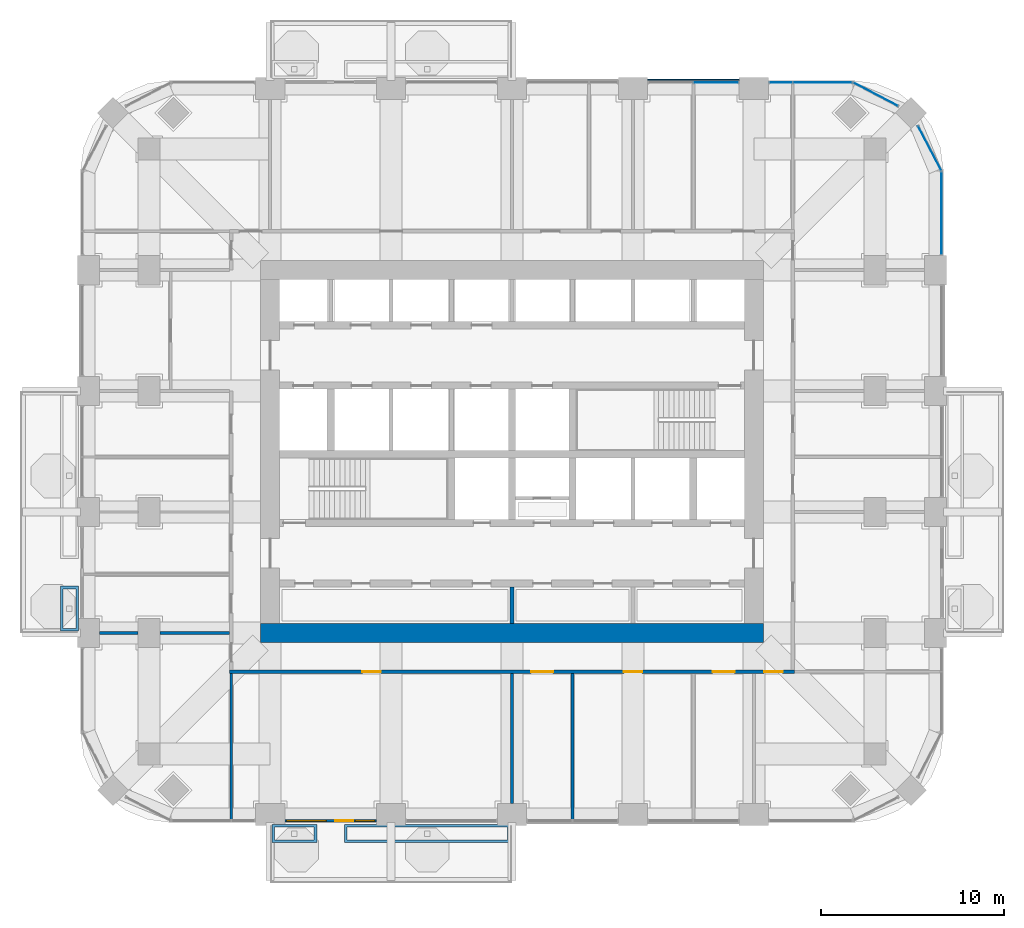
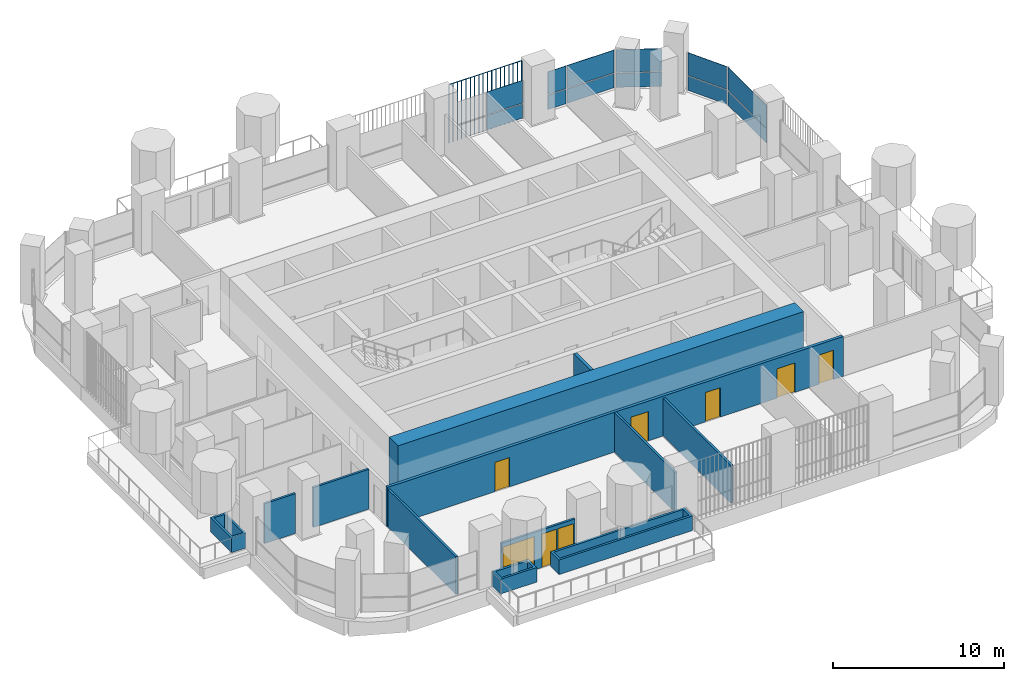
# One storey, part 11 of 20: 13 plates, 12 walls, 6 doors, 2 windows, 8 openings, 5 elements without a shape of their own.
"""IFC4 building model written with IfcOpenShell, lengths in metres."""

from ifc_helpers import new_model, si_unit, direction, frame, frame_2d, origin, origin_2d, place, context, subcontext, project, spatial, polyline, rectangle, outline, extrude, material, layer, layer_set, type_object, element, fill, aggregate, save


model = new_model("IFC4")

# Units and contexts
model_context = context("Model", 3, precision=1e-05, world=origin(), true_north=direction((0.0, 1.0)))
body_context = subcontext(model_context, "Body", "Model", "MODEL_VIEW")
ifc_project = project(units=[si_unit("LENGTHUNIT", "METRE"), si_unit("AREAUNIT", "SQUARE_METRE"), si_unit("VOLUMEUNIT", "CUBIC_METRE"), si_unit("PLANEANGLEUNIT", "RADIAN"), si_unit("MASSUNIT", "GRAM", prefix="KILO")], contexts=[model_context])

# Site, building, storey
site_placement = place(None, origin())
site = spatial("IfcSite", under=ifc_project, at=site_placement, CompositionType="ELEMENT")
building_placement = place(site_placement, origin())
building = spatial("IfcBuilding", under=site, at=building_placement, Name="Cobogo Forest Laboratory Tower", CompositionType="ELEMENT")
storey_placement = place(building_placement, frame((0.0, 0.0, 168.300048828125)))
storey = spatial("IfcBuildingStorey", under=building, at=storey_placement, Name="L38", CompositionType="ELEMENT", Elevation=168.300048828125)

# Curtain wall, plates
ifc_material_1 = material(Name="Aluminium curtain wall", Category="aluminium")
curtain_wall_type = type_object("IfcCurtainWallType", Name="CW-2 unitised curtain wall, solar control glazing, laboratory floors zones C and D", PredefinedType="USERDEFINED", material=ifc_material_1)
curtain_wall_1_placement = place(storey_placement, origin())
curtain_wall_1 = element("IfcCurtainWall", 1, at=curtain_wall_1_placement, inside=storey, type_object=curtain_wall_type, Name="Curtain wall 13 L38", ObjectType="UNITISED CURTAIN WALL", PredefinedType="USERDEFINED")
ifc_material_2 = material(Name="Solar control insulated glass", Category="glass")
ifc_layer_1 = layer(ifc_material_2, 0.031982421875)
ifc_layer_set_1 = layer_set([ifc_layer_1], Name="GP-2 solar control glass unit 32")
plate_type_1 = type_object("IfcPlateType", Name="GP-2 solar control glass unit 32", PredefinedType="CURTAIN_PANEL", material=ifc_layer_set_1)
plate_1_placement = place(storey_placement, frame((49.85009765625, 36.10009765625, 0.0), z_axis=(0.0, 0.0, 1.0), x_axis=(0.0, 1.0, 0.0)))
plate_1 = element("IfcPlate", 2, at=plate_1_placement, type_object=plate_type_1, Name="CW-2 panel 1.1", PredefinedType="CURTAIN_PANEL", context=body_context, shape_type="SweptSolid", body=[
    extrude(rectangle(XDim=4.47998046875, YDim=0.031982421875, at=origin_2d()), origin(), (0.0, 0.0, 1.0), 1.02001953125),
])
plate_2_placement = place(storey_placement, frame((49.85009765625, 36.10009765625, 1.079833984375), z_axis=(0.0, 0.0, 1.0), x_axis=(0.0, 1.0, 0.0)))
plate_2 = element("IfcPlate", 3, at=plate_2_placement, type_object=plate_type_1, Name="CW-2 panel 1.2", PredefinedType="CURTAIN_PANEL", context=body_context, shape_type="SweptSolid", body=[
    extrude(rectangle(XDim=4.47998046875, YDim=0.031982421875, at=origin_2d()), origin(), (0.0, 0.0, 1.0), 1.6201171875),
])
aggregate(curtain_wall_1, [plate_1, plate_2])

curtain_wall_2_placement = place(storey_placement, origin())
curtain_wall_2 = element("IfcCurtainWall", 4, at=curtain_wall_2_placement, inside=storey, type_object=curtain_wall_type, Name="Curtain wall 14 L38", ObjectType="UNITISED CURTAIN WALL", PredefinedType="USERDEFINED")
plate_3_placement = place(storey_placement, frame((49.193603515625, 39.65234375, 0.0), z_axis=(0.0, 0.0, 1.0), x_axis=(-0.464283818822, 0.885686477022, 0.0)))
plate_3 = element("IfcPlate", 5, at=plate_3_placement, type_object=plate_type_1, Name="CW-2 panel 1.1", PredefinedType="CURTAIN_PANEL", context=body_context, shape_type="SweptSolid", body=[
    extrude(rectangle(XDim=2.7080078125, YDim=0.031982421875, at=origin_2d()), origin(), (0.0, 0.0, 1.0), 1.02001953125),
])
plate_4_placement = place(storey_placement, frame((49.193603515625, 39.65234375, 1.079833984375), z_axis=(0.0, 0.0, 1.0), x_axis=(-0.464283818822, 0.885686477022, 0.0)))
plate_4 = element("IfcPlate", 6, at=plate_4_placement, type_object=plate_type_1, Name="CW-2 panel 1.2", PredefinedType="CURTAIN_PANEL", context=body_context, shape_type="SweptSolid", body=[
    extrude(rectangle(XDim=2.7080078125, YDim=0.031982421875, at=origin_2d()), origin(), (0.0, 0.0, 1.0), 1.6201171875),
])
aggregate(curtain_wall_2, [plate_3, plate_4])

curtain_wall_3_placement = place(storey_placement, origin())
curtain_wall_3 = element("IfcCurtainWall", 7, at=curtain_wall_3_placement, inside=storey, type_object=curtain_wall_type, Name="Curtain wall 15 L38", ObjectType="UNITISED CURTAIN WALL", PredefinedType="USERDEFINED")
plate_5_placement = place(storey_placement, frame((46.25244140625, 42.593505859375, 0.0), z_axis=(0.0, 0.0, 1.0), x_axis=(-0.885686477022, 0.464283818822, 0.0)))
plate_5 = element("IfcPlate", 8, at=plate_5_placement, type_object=plate_type_1, Name="CW-2 panel 1.1", PredefinedType="CURTAIN_PANEL", context=body_context, shape_type="SweptSolid", body=[
    extrude(rectangle(XDim=2.7080078125, YDim=0.031982421875, at=origin_2d()), origin(), (0.0, 0.0, 1.0), 1.02001953125),
])
plate_6_placement = place(storey_placement, frame((46.25244140625, 42.593505859375, 1.079833984375), z_axis=(0.0, 0.0, 1.0), x_axis=(-0.885686477022, 0.464283818822, 0.0)))
plate_6 = element("IfcPlate", 9, at=plate_6_placement, type_object=plate_type_1, Name="CW-2 panel 1.2", PredefinedType="CURTAIN_PANEL", context=body_context, shape_type="SweptSolid", body=[
    extrude(rectangle(XDim=2.7080078125, YDim=0.031982421875, at=origin_2d()), origin(), (0.0, 0.0, 1.0), 1.6201171875),
])
aggregate(curtain_wall_3, [plate_5, plate_6])

curtain_wall_4_placement = place(storey_placement, origin())
curtain_wall_4 = element("IfcCurtainWall", 10, at=curtain_wall_4_placement, inside=storey, type_object=curtain_wall_type, Name="Curtain wall 16 L38", ObjectType="UNITISED CURTAIN WALL", PredefinedType="USERDEFINED")
plate_7_placement = place(storey_placement, frame((43.347412109375, 43.25, 0.0), z_axis=(0.0, 0.0, 1.0), x_axis=(-1.0, 0.0, 0.0)))
plate_7 = element("IfcPlate", 11, at=plate_7_placement, type_object=plate_type_1, Name="CW-2 panel 1.1", PredefinedType="CURTAIN_PANEL", context=body_context, shape_type="SweptSolid", body=[
    extrude(rectangle(XDim=3.18505859375, YDim=0.031982421875, at=origin_2d()), origin(), (0.0, 0.0, 1.0), 1.02001953125),
])
plate_8_placement = place(storey_placement, frame((43.347412109375, 43.25, 1.079833984375), z_axis=(0.0, 0.0, 1.0), x_axis=(-1.0, 0.0, 0.0)))
plate_8 = element("IfcPlate", 12, at=plate_8_placement, type_object=plate_type_1, Name="CW-2 panel 1.2", PredefinedType="CURTAIN_PANEL", context=body_context, shape_type="SweptSolid", body=[
    extrude(rectangle(XDim=3.18505859375, YDim=0.031982421875, at=origin_2d()), origin(), (0.0, 0.0, 1.0), 1.6201171875),
])
plate_9_placement = place(storey_placement, frame((41.077392578125, 43.25, 0.0), z_axis=(0.0, 0.0, 1.0), x_axis=(-1.0, 0.0, 0.0)))
plate_9 = element("IfcPlate", 13, at=plate_9_placement, type_object=plate_type_1, Name="CW-2 panel 2.1", PredefinedType="CURTAIN_PANEL", context=body_context, shape_type="SweptSolid", body=[
    extrude(rectangle(XDim=1.235107421875, YDim=0.031982421875, at=origin_2d()), origin(), (0.0, 0.0, 1.0), 1.02001953125),
])
plate_10_placement = place(storey_placement, frame((41.077392578125, 43.25, 1.079833984375), z_axis=(0.0, 0.0, 1.0), x_axis=(-1.0, 0.0, 0.0)))
plate_10 = element("IfcPlate", 14, at=plate_10_placement, type_object=plate_type_1, Name="CW-2 panel 2.2", PredefinedType="CURTAIN_PANEL", context=body_context, shape_type="SweptSolid", body=[
    extrude(rectangle(XDim=1.235107421875, YDim=0.031982421875, at=origin_2d()), origin(), (0.0, 0.0, 1.0), 1.6201171875),
])
aggregate(curtain_wall_4, [plate_7, plate_8, plate_9, plate_10])

curtain_wall_5_placement = place(storey_placement, origin())
curtain_wall_5 = element("IfcCurtainWall", 15, at=curtain_wall_5_placement, inside=storey, type_object=curtain_wall_type, Name="Curtain wall 17 L38", ObjectType="UNITISED CURTAIN WALL", PredefinedType="USERDEFINED")
plate_11_placement = place(storey_placement, frame((37.534912109375, 43.25, 0.0), z_axis=(0.0, 0.0, 1.0), x_axis=(-1.0, 0.0, 0.0)))
plate_11 = element("IfcPlate", 16, at=plate_11_placement, type_object=plate_type_1, Name="CW-2 panel 1.1", PredefinedType="CURTAIN_PANEL", context=body_context, shape_type="SweptSolid", body=[
    extrude(rectangle(XDim=2.409912109375, YDim=0.031982421875, at=origin_2d()), origin(), (0.0, 0.0, 1.0), 1.02001953125),
])
plate_12_placement = place(storey_placement, frame((37.534912109375, 43.25, 1.079833984375), z_axis=(0.0, 0.0, 1.0), x_axis=(-1.0, 0.0, 0.0)))
plate_12 = element("IfcPlate", 17, at=plate_12_placement, type_object=plate_type_1, Name="CW-2 panel 1.2", PredefinedType="CURTAIN_PANEL", context=body_context, shape_type="SweptSolid", body=[
    extrude(rectangle(XDim=2.409912109375, YDim=0.031982421875, at=origin_2d()), origin(), (0.0, 0.0, 1.0), 1.6201171875),
])
aggregate(curtain_wall_5, [plate_11, plate_12])

# Plate
ifc_material_3 = material(Name="Terracotta", Category="masonry")
plate_type_2 = type_object("IfcPlateType", Name="TB1 terracotta baguette screen", PredefinedType="USERDEFINED", material=ifc_material_3)
plate_13_placement = place(storey_placement, frame((33.831298828125, 43.3779296875, -0.150146484375)))
element("IfcPlate", 18, at=plate_13_placement, inside=storey, type_object=plate_type_2, Name="Baguette screen N4 L38", ObjectType="BAGUETTE SCREEN", PredefinedType="USERDEFINED", context=body_context, shape_type="SweptSolid", body=[
    extrude(outline(polyline([(0.02880859375, 0.011962890625), (0.011962890625, 0.02880859375), (-0.011962890625, 0.02880859375), (-0.02880859375, 0.011962890625), (-0.02880859375, -0.011962890625), (-0.011962890625, -0.02880859375), (0.011962890625, -0.02880859375), (0.02880859375, -0.011962890625), (0.02880859375, 0.011962890625)])), frame((0.0, 0.0, 4.168701171875), z_axis=(1.0, 0.0, 0.0), x_axis=(0.0, 1.0, 0.0)), (0.0, 0.0, 1.0), 4.9375),
    extrude(outline(polyline([(0.02880859375, 0.011962890625), (0.011962890625, 0.02880859375), (-0.011962890625, 0.02880859375), (-0.02880859375, 0.011962890625), (-0.02880859375, -0.011962890625), (-0.011962890625, -0.02880859375), (0.011962890625, -0.02880859375), (0.02880859375, -0.011962890625), (0.02880859375, 0.011962890625)])), origin(), (0.0, 0.0, 1.0), 4.137451171875),
    extrude(outline(polyline([(0.02880859375, 0.011962890625), (0.011962890625, 0.02880859375), (-0.011962890625, 0.02880859375), (-0.02880859375, 0.011962890625), (-0.02880859375, -0.011962890625), (-0.011962890625, -0.02880859375), (0.011962890625, -0.02880859375), (0.02880859375, -0.011962890625), (0.02880859375, 0.011962890625)])), frame((0.29052734375, 0.0, 0.0)), (0.0, 0.0, 1.0), 4.137451171875),
    extrude(outline(polyline([(0.02880859375, 0.011962890625), (0.011962890625, 0.02880859375), (-0.011962890625, 0.02880859375), (-0.02880859375, 0.011962890625), (-0.02880859375, -0.011962890625), (-0.011962890625, -0.02880859375), (0.011962890625, -0.02880859375), (0.02880859375, -0.011962890625), (0.02880859375, 0.011962890625)])), frame((0.580810546875, 0.0, 0.0)), (0.0, 0.0, 1.0), 4.137451171875),
    extrude(outline(polyline([(0.02880859375, 0.011962890625), (0.011962890625, 0.02880859375), (-0.011962890625, 0.02880859375), (-0.02880859375, 0.011962890625), (-0.02880859375, -0.011962890625), (-0.011962890625, -0.02880859375), (0.011962890625, -0.02880859375), (0.02880859375, -0.011962890625), (0.02880859375, 0.011962890625)])), frame((0.871337890625, 0.0, 0.0)), (0.0, 0.0, 1.0), 4.137451171875),
    extrude(outline(polyline([(0.02880859375, 0.011962890625), (0.011962890625, 0.02880859375), (-0.011962890625, 0.02880859375), (-0.02880859375, 0.011962890625), (-0.02880859375, -0.011962890625), (-0.011962890625, -0.02880859375), (0.011962890625, -0.02880859375), (0.02880859375, -0.011962890625), (0.02880859375, 0.011962890625)])), frame((1.161865234375, 0.0, 0.0)), (0.0, 0.0, 1.0), 4.137451171875),
    extrude(outline(polyline([(0.02880859375, 0.011962890625), (0.011962890625, 0.02880859375), (-0.011962890625, 0.02880859375), (-0.02880859375, 0.011962890625), (-0.02880859375, -0.011962890625), (-0.011962890625, -0.02880859375), (0.011962890625, -0.02880859375), (0.02880859375, -0.011962890625), (0.02880859375, 0.011962890625)])), frame((1.4521484375, 0.0, 0.0)), (0.0, 0.0, 1.0), 4.137451171875),
    extrude(outline(polyline([(0.02880859375, 0.011962890625), (0.011962890625, 0.02880859375), (-0.011962890625, 0.02880859375), (-0.02880859375, 0.011962890625), (-0.02880859375, -0.011962890625), (-0.011962890625, -0.02880859375), (0.011962890625, -0.02880859375), (0.02880859375, -0.011962890625), (0.02880859375, 0.011962890625)])), frame((1.74267578125, 0.0, 0.0)), (0.0, 0.0, 1.0), 4.137451171875),
    extrude(outline(polyline([(0.02880859375, 0.011962890625), (0.011962890625, 0.02880859375), (-0.011962890625, 0.02880859375), (-0.02880859375, 0.011962890625), (-0.02880859375, -0.011962890625), (-0.011962890625, -0.02880859375), (0.011962890625, -0.02880859375), (0.02880859375, -0.011962890625), (0.02880859375, 0.011962890625)])), frame((2.033203125, 0.0, 0.0)), (0.0, 0.0, 1.0), 4.137451171875),
    extrude(outline(polyline([(0.02880859375, 0.011962890625), (0.011962890625, 0.02880859375), (-0.011962890625, 0.02880859375), (-0.02880859375, 0.011962890625), (-0.02880859375, -0.011962890625), (-0.011962890625, -0.02880859375), (0.011962890625, -0.02880859375), (0.02880859375, -0.011962890625), (0.02880859375, 0.011962890625)])), frame((2.323486328125, 0.0, 0.0)), (0.0, 0.0, 1.0), 4.137451171875),
    extrude(outline(polyline([(0.02880859375, 0.011962890625), (0.011962890625, 0.02880859375), (-0.011962890625, 0.02880859375), (-0.02880859375, 0.011962890625), (-0.02880859375, -0.011962890625), (-0.011962890625, -0.02880859375), (0.011962890625, -0.02880859375), (0.02880859375, -0.011962890625), (0.02880859375, 0.011962890625)])), frame((2.614013671875, 0.0, 0.0)), (0.0, 0.0, 1.0), 4.137451171875),
    extrude(outline(polyline([(0.02880859375, 0.011962890625), (0.011962890625, 0.02880859375), (-0.011962890625, 0.02880859375), (-0.02880859375, 0.011962890625), (-0.02880859375, -0.011962890625), (-0.011962890625, -0.02880859375), (0.011962890625, -0.02880859375), (0.02880859375, -0.011962890625), (0.02880859375, 0.011962890625)])), frame((2.904296875, 0.0, 0.0)), (0.0, 0.0, 1.0), 4.137451171875),
    extrude(outline(polyline([(0.02880859375, 0.011962890625), (0.011962890625, 0.02880859375), (-0.011962890625, 0.02880859375), (-0.02880859375, 0.011962890625), (-0.02880859375, -0.011962890625), (-0.011962890625, -0.02880859375), (0.011962890625, -0.02880859375), (0.02880859375, -0.011962890625), (0.02880859375, 0.011962890625)])), frame((3.19482421875, 0.0, 0.0)), (0.0, 0.0, 1.0), 4.137451171875),
    extrude(outline(polyline([(0.02880859375, 0.011962890625), (0.011962890625, 0.02880859375), (-0.011962890625, 0.02880859375), (-0.02880859375, 0.011962890625), (-0.02880859375, -0.011962890625), (-0.011962890625, -0.02880859375), (0.011962890625, -0.02880859375), (0.02880859375, -0.011962890625), (0.02880859375, 0.011962890625)])), frame((3.4853515625, 0.0, 0.0)), (0.0, 0.0, 1.0), 4.137451171875),
    extrude(outline(polyline([(0.02880859375, 0.011962890625), (0.011962890625, 0.02880859375), (-0.011962890625, 0.02880859375), (-0.02880859375, 0.011962890625), (-0.02880859375, -0.011962890625), (-0.011962890625, -0.02880859375), (0.011962890625, -0.02880859375), (0.02880859375, -0.011962890625), (0.02880859375, 0.011962890625)])), frame((3.775634765625, 0.0, 0.0)), (0.0, 0.0, 1.0), 4.137451171875),
    extrude(outline(polyline([(0.02880859375, 0.011962890625), (0.011962890625, 0.02880859375), (-0.011962890625, 0.02880859375), (-0.02880859375, 0.011962890625), (-0.02880859375, -0.011962890625), (-0.011962890625, -0.02880859375), (0.011962890625, -0.02880859375), (0.02880859375, -0.011962890625), (0.02880859375, 0.011962890625)])), frame((4.066162109375, 0.0, 0.0)), (0.0, 0.0, 1.0), 4.137451171875),
    extrude(outline(polyline([(0.02880859375, 0.011962890625), (0.011962890625, 0.02880859375), (-0.011962890625, 0.02880859375), (-0.02880859375, 0.011962890625), (-0.02880859375, -0.011962890625), (-0.011962890625, -0.02880859375), (0.011962890625, -0.02880859375), (0.02880859375, -0.011962890625), (0.02880859375, 0.011962890625)])), frame((4.356689453125, 0.0, 0.0)), (0.0, 0.0, 1.0), 4.137451171875),
    extrude(outline(polyline([(0.02880859375, 0.011962890625), (0.011962890625, 0.02880859375), (-0.011962890625, 0.02880859375), (-0.02880859375, 0.011962890625), (-0.02880859375, -0.011962890625), (-0.011962890625, -0.02880859375), (0.011962890625, -0.02880859375), (0.02880859375, -0.011962890625), (0.02880859375, 0.011962890625)])), frame((4.64697265625, 0.0, 0.0)), (0.0, 0.0, 1.0), 4.137451171875),
    extrude(outline(polyline([(0.02880859375, 0.011962890625), (0.011962890625, 0.02880859375), (-0.011962890625, 0.02880859375), (-0.02880859375, 0.011962890625), (-0.02880859375, -0.011962890625), (-0.011962890625, -0.02880859375), (0.011962890625, -0.02880859375), (0.02880859375, -0.011962890625), (0.02880859375, 0.011962890625)])), frame((4.9375, 0.0, 0.0)), (0.0, 0.0, 1.0), 4.137451171875),
])

# Wall
ifc_material_4 = material(Name="Concrete HA-50 (C50/60)", Category="concrete")
ifc_layer_2 = layer(ifc_material_4, 1.050048828125)
ifc_layer_set_2 = layer_set([ifc_layer_2], Name="CW1050 core outer wall 1050")
wall_type_1 = type_object("IfcWallType", Name="CW1050 core outer wall 1050", PredefinedType="SHEAR", material=ifc_layer_set_2)
wall_1_placement = place(storey_placement, frame((12.675048828125, 13.199951171875, 0.0), z_axis=(0.0, 0.0, 1.0), x_axis=(1.0, 0.0, 0.0)))
element("IfcWall", 19, at=wall_1_placement, inside=storey, type_object=wall_type_1, Name="Core wall CO-S L38", PredefinedType="SHEAR", context=body_context, shape_type="SweptSolid", body=[
    extrude(rectangle(XDim=27.449951171875, YDim=1.050048828125, at=frame_2d((13.72509765625, 0.0))), origin(), (0.0, 0.0, 1.0), 4.199951171875),
])

# Wall, openings, door, windows
ifc_material_5 = material(Name="Aluminium framed glazed screen", Category="aluminium")
ifc_layer_3 = layer(ifc_material_5, 0.14990234375)
ifc_layer_set_3 = layer_set([ifc_layer_3], Name="GS1 glazed door screen 150")
wall_type_2 = type_object("IfcWallType", Name="GS1 glazed door screen 150", PredefinedType="SOLIDWALL", material=ifc_layer_set_3)
wall_2_placement = place(storey_placement, frame((14.0, 2.949951171875, 0.0), z_axis=(0.0, 0.0, 1.0), x_axis=(1.0, 0.0, 0.0)))
wall_2 = element("IfcWall", 20, at=wall_2_placement, inside=storey, type_object=wall_type_2, Name="Door screen BAL-S1 L38", PredefinedType="SOLIDWALL", context=body_context, shape_type="SweptSolid", body=[
    extrude(rectangle(XDim=5.0, YDim=0.14990234375, at=frame_2d((2.5, 0.0))), origin(), (0.0, 0.0, 1.0), 2.699951171875),
])
opening_1_placement = place(wall_2_placement, frame((2.75, 0.0, 0.0)))
opening_1 = element("IfcOpeningElement", 21, at=opening_1_placement, cuts=wall_2, Name="Opening L38-D01", PredefinedType="OPENING", context=body_context, shape_type="SweptSolid", body=[
    extrude(rectangle(XDim=1.0, YDim=2.39990234375, at=frame_2d((0.5, 1.199951171875))), frame((0.0, 0.0849609375, 0.0), z_axis=(0.0, -1.0, 0.0), x_axis=(1.0, 0.0, 0.0)), (0.0, 0.0, 1.0), 0.169921875),
])
opening_2_placement = place(wall_2_placement, frame((0.10009765625, 0.0, 0.10009765625)))
opening_2 = element("IfcOpeningElement", 22, at=opening_2_placement, cuts=wall_2, Name="Opening L38-W01", PredefinedType="OPENING", context=body_context, shape_type="SweptSolid", body=[
    extrude(rectangle(XDim=2.14990234375, YDim=2.300048828125, at=frame_2d((1.074951171875, 1.14990234375))), frame((0.0, 0.0849609375, 0.0), z_axis=(0.0, -1.0, 0.0), x_axis=(1.0, 0.0, 0.0)), (0.0, 0.0, 1.0), 0.169921875),
])
opening_3_placement = place(wall_2_placement, frame((3.85009765625, 0.0, 0.10009765625)))
opening_3 = element("IfcOpeningElement", 23, at=opening_3_placement, cuts=wall_2, Name="Opening L38-W02", PredefinedType="OPENING", context=body_context, shape_type="SweptSolid", body=[
    extrude(rectangle(XDim=1.050048828125, YDim=2.300048828125, at=frame_2d((0.52490234375, 1.14990234375))), frame((0.0, 0.0849609375, 0.0), z_axis=(0.0, -1.0, 0.0), x_axis=(1.0, 0.0, 0.0)), (0.0, 0.0, 1.0), 0.169921875),
])
ifc_material_6 = material(Name="Aluminium glazed door", Category="aluminium")
door_type_1 = type_object("IfcDoorType", Name="DB1 balcony door 1000 glazed", OperationType="SINGLE_SWING_LEFT", PredefinedType="DOOR", material=ifc_material_6)
door_1_placement = place(opening_1_placement, origin())
door_1 = element("IfcDoor", 24, at=door_1_placement, inside=storey, type_object=door_type_1, Name="Door L38-BAL-S1", OperationType="SINGLE_SWING_RIGHT", OverallHeight=2.39990234375, OverallWidth=1.0, PredefinedType="DOOR", context=body_context, shape_type="SweptSolid", body=[
    extrude(rectangle(XDim=1.0, YDim=2.39990234375, at=frame_2d((0.5, 1.199951171875))), frame((0.0, 0.02490234375, 0.0), z_axis=(0.0, -1.0, 0.0), x_axis=(1.0, 0.0, 0.0)), (0.0, 0.0, 1.0), 0.050048828125),
])
fill(opening_1, door_1)
ifc_material_7 = material(Name="Aluminium framed glazing", Category="aluminium")
window_type_1 = type_object("IfcWindowType", Name="WG13 fixed glazed light 2150x2300", PartitioningType="SINGLE_PANEL", PredefinedType="WINDOW", material=ifc_material_7)
window_1_placement = place(opening_2_placement, origin())
window_1 = element("IfcWindow", 25, at=window_1_placement, inside=storey, type_object=window_type_1, Name="Window L38-BAL-S1-1", OverallHeight=2.300048828125, OverallWidth=2.14990234375, PartitioningType="SINGLE_PANEL", PredefinedType="WINDOW", context=body_context, shape_type="SweptSolid", body=[
    extrude(rectangle(XDim=2.14990234375, YDim=2.300048828125, at=frame_2d((1.074951171875, 1.14990234375))), frame((0.0, 0.030029296875, 0.0), z_axis=(0.0, -1.0, 0.0), x_axis=(1.0, 0.0, 0.0)), (0.0, 0.0, 1.0), 0.06005859375),
])
fill(opening_2, window_1)
window_type_2 = type_object("IfcWindowType", Name="WG14 fixed glazed light 1050x2300", PartitioningType="SINGLE_PANEL", PredefinedType="WINDOW", material=ifc_material_7)
window_2_placement = place(opening_3_placement, origin())
window_2 = element("IfcWindow", 26, at=window_2_placement, inside=storey, type_object=window_type_2, Name="Window L38-BAL-S1-2", OverallHeight=2.300048828125, OverallWidth=1.050048828125, PartitioningType="SINGLE_PANEL", PredefinedType="WINDOW", context=body_context, shape_type="SweptSolid", body=[
    extrude(rectangle(XDim=1.050048828125, YDim=2.300048828125, at=frame_2d((0.52490234375, 1.14990234375))), frame((0.0, 0.030029296875, 0.0), z_axis=(0.0, -1.0, 0.0), x_axis=(1.0, 0.0, 0.0)), (0.0, 0.0, 1.0), 0.06005859375),
])
fill(opening_3, window_2)

# Walls
ifc_material_8 = material(Name="Gypsum board on steel studs", Category="steel")
ifc_layer_4 = layer(ifc_material_8, 0.14990234375)
ifc_layer_set_4 = layer_set([ifc_layer_4], Name="PT1 laboratory partition 150")
wall_type_3 = type_object("IfcWallType", Name="PT1 laboratory partition 150", PredefinedType="PARTITIONING", material=ifc_layer_set_4)
wall_3_placement = place(storey_placement, frame((11.074951171875, 3.030029296875, 0.0), z_axis=(0.0, 0.0, 1.0), x_axis=(0.0, 1.0, 0.0)))
element("IfcWall", 27, at=wall_3_placement, inside=storey, type_object=wall_type_3, Name="Partition PW-SW L38", PredefinedType="PARTITIONING", context=body_context, shape_type="SweptSolid", body=[
    extrude(rectangle(XDim=7.945068359375, YDim=0.14990234375, at=frame_2d((3.97265625, 0.0))), origin(), (0.0, 0.0, 1.0), 2.699951171875),
])
wall_4_placement = place(storey_placement, frame((26.39990234375, 3.89990234375, 0.0), z_axis=(0.0, 0.0, 1.0), x_axis=(0.0, 1.0, 0.0)))
element("IfcWall", 28, at=wall_4_placement, inside=storey, type_object=wall_type_3, Name="Partition CUT-S26.4-1 L38", PredefinedType="PARTITIONING", context=body_context, shape_type="SweptSolid", body=[
    extrude(rectangle(XDim=7.0751953125, YDim=0.14990234375, at=frame_2d((3.53759765625, 0.0))), origin(), (0.0, 0.0, 1.0), 2.849853515625),
])
wall_5_placement = place(storey_placement, frame((29.699951171875, 3.030029296875, 0.0), z_axis=(0.0, 0.0, 1.0), x_axis=(0.0, 1.0, 0.0)))
element("IfcWall", 29, at=wall_5_placement, inside=storey, type_object=wall_type_3, Name="Partition CUT-S29.7-1 L38", PredefinedType="PARTITIONING", context=body_context, shape_type="SweptSolid", body=[
    extrude(rectangle(XDim=7.945068359375, YDim=0.14990234375, at=frame_2d((3.97265625, 0.0))), origin(), (0.0, 0.0, 1.0), 2.699951171875),
])
wall_6_placement = place(storey_placement, frame((3.89990234375, 13.199951171875, 0.0), z_axis=(0.0, 0.0, 1.0), x_axis=(1.0, 0.0, 0.0)))
element("IfcWall", 30, at=wall_6_placement, inside=storey, type_object=wall_type_3, Name="Partition CUT-W13.2-1 L38", PredefinedType="PARTITIONING", context=body_context, shape_type="SweptSolid", body=[
    extrude(rectangle(XDim=2.10009765625, YDim=0.14990234375, at=frame_2d((1.050048828125, 0.0))), origin(), (0.0, 0.0, 1.0), 2.849853515625),
])
wall_7_placement = place(storey_placement, frame((7.199951171875, 13.199951171875, 0.0), z_axis=(0.0, 0.0, 1.0), x_axis=(1.0, 0.0, 0.0)))
element("IfcWall", 31, at=wall_7_placement, inside=storey, type_object=wall_type_3, Name="Partition CUT-W13.2-2 L38", PredefinedType="PARTITIONING", context=body_context, shape_type="SweptSolid", body=[
    extrude(rectangle(XDim=3.775146484375, YDim=0.14990234375, at=frame_2d((1.8876953125, 0.0))), origin(), (0.0, 0.0, 1.0), 2.849853515625),
])

# Wall, openings, doors
ifc_layer_5 = layer(ifc_material_8, 0.199951171875)
ifc_layer_set_5 = layer_set([ifc_layer_5], Name="PT2 fire-rated corridor partition 200")
wall_type_4 = type_object("IfcWallType", Name="PT2 fire-rated corridor partition 200", PredefinedType="PARTITIONING", material=ifc_layer_set_5)
wall_8_placement = place(storey_placement, frame((10.97509765625, 11.074951171875, 0.0), z_axis=(0.0, 0.0, 1.0), x_axis=(1.0, 0.0, 0.0)))
wall_8 = element("IfcWall", 32, at=wall_8_placement, inside=storey, type_object=wall_type_4, Name="Partition CORR-S L38", PredefinedType="PARTITIONING", context=body_context, shape_type="SweptSolid", body=[
    extrude(rectangle(XDim=30.849853515625, YDim=0.199951171875, at=frame_2d((15.4248046875, 0.0))), origin(), (0.0, 0.0, 1.0), 2.849853515625),
])
opening_4_placement = place(wall_8_placement, frame((7.262451171875, 0.0, 0.0)))
opening_4 = element("IfcOpeningElement", 33, at=opening_4_placement, cuts=wall_8, Name="Opening L38-D02", PredefinedType="OPENING", context=body_context, shape_type="SweptSolid", body=[
    extrude(rectangle(XDim=1.0, YDim=2.10009765625, at=frame_2d((0.5, 1.050048828125))), frame((0.0, 0.10986328125, 0.0), z_axis=(0.0, -1.0, 0.0), x_axis=(1.0, 0.0, 0.0)), (0.0, 0.0, 1.0), 0.219970703125),
])
opening_5_placement = place(wall_8_placement, frame((16.47509765625, 0.0, 0.0)))
opening_5 = element("IfcOpeningElement", 34, at=opening_5_placement, cuts=wall_8, Name="Opening L38-D03", PredefinedType="OPENING", context=body_context, shape_type="SweptSolid", body=[
    extrude(rectangle(XDim=1.199951171875, YDim=2.10009765625, at=frame_2d((0.60009765625, 1.050048828125))), frame((0.0, 0.10986328125, 0.0), z_axis=(0.0, -1.0, 0.0), x_axis=(1.0, 0.0, 0.0)), (0.0, 0.0, 1.0), 0.219970703125),
])
opening_6_placement = place(wall_8_placement, frame((21.52490234375, 0.0, 0.0)))
opening_6 = element("IfcOpeningElement", 35, at=opening_6_placement, cuts=wall_8, Name="Opening L38-D04", PredefinedType="OPENING", context=body_context, shape_type="SweptSolid", body=[
    extrude(rectangle(XDim=1.0, YDim=2.10009765625, at=frame_2d((0.5, 1.050048828125))), frame((0.0, 0.10986328125, 0.0), z_axis=(0.0, -1.0, 0.0), x_axis=(1.0, 0.0, 0.0)), (0.0, 0.0, 1.0), 0.219970703125),
])
opening_7_placement = place(wall_8_placement, frame((26.375, 0.0, 0.0)))
opening_7 = element("IfcOpeningElement", 36, at=opening_7_placement, cuts=wall_8, Name="Opening L38-D05", PredefinedType="OPENING", context=body_context, shape_type="SweptSolid", body=[
    extrude(rectangle(XDim=1.199951171875, YDim=2.10009765625, at=frame_2d((0.60009765625, 1.050048828125))), frame((0.0, 0.10986328125, 0.0), z_axis=(0.0, -1.0, 0.0), x_axis=(1.0, 0.0, 0.0)), (0.0, 0.0, 1.0), 0.219970703125),
])
opening_8_placement = place(wall_8_placement, frame((29.1875, 0.0, 0.0)))
opening_8 = element("IfcOpeningElement", 37, at=opening_8_placement, cuts=wall_8, Name="Opening L38-D06", PredefinedType="OPENING", context=body_context, shape_type="SweptSolid", body=[
    extrude(rectangle(XDim=1.0, YDim=2.10009765625, at=frame_2d((0.5, 1.050048828125))), frame((0.0, 0.10986328125, 0.0), z_axis=(0.0, -1.0, 0.0), x_axis=(1.0, 0.0, 0.0)), (0.0, 0.0, 1.0), 0.219970703125),
])
ifc_material_9 = material(Name="Timber door", Category="wood")
door_type_2 = type_object("IfcDoorType", Name="D2 laboratory door 1200 unequal pair", OperationType="DOUBLE_DOOR_SINGLE_SWING", PredefinedType="DOOR", material=ifc_material_9)
door_2_placement = place(opening_5_placement, origin())
door_2 = element("IfcDoor", 38, at=door_2_placement, inside=storey, type_object=door_type_2, Name="Door L38-S2", OperationType="DOUBLE_DOOR_SINGLE_SWING", OverallHeight=2.10009765625, OverallWidth=1.199951171875, PredefinedType="DOOR", context=body_context, shape_type="SweptSolid", body=[
    extrude(rectangle(XDim=1.199951171875, YDim=2.10009765625, at=frame_2d((0.60009765625, 1.050048828125))), frame((0.0, 0.02490234375, 0.0), z_axis=(0.0, -1.0, 0.0), x_axis=(1.0, 0.0, 0.0)), (0.0, 0.0, 1.0), 0.050048828125),
])
fill(opening_5, door_2)
door_3_placement = place(opening_7_placement, origin())
door_3 = element("IfcDoor", 39, at=door_3_placement, inside=storey, type_object=door_type_2, Name="Door L38-S4", OperationType="DOUBLE_DOOR_SINGLE_SWING", OverallHeight=2.10009765625, OverallWidth=1.199951171875, PredefinedType="DOOR", context=body_context, shape_type="SweptSolid", body=[
    extrude(rectangle(XDim=1.199951171875, YDim=2.10009765625, at=frame_2d((0.60009765625, 1.050048828125))), frame((0.0, 0.02490234375, 0.0), z_axis=(0.0, -1.0, 0.0), x_axis=(1.0, 0.0, 0.0)), (0.0, 0.0, 1.0), 0.050048828125),
])
fill(opening_7, door_3)
ifc_material_10 = material(Name="Timber fire door", Category="wood")
door_type_3 = type_object("IfcDoorType", Name="FD2 fire door 1000 EI2 30", OperationType="SINGLE_SWING_LEFT", PredefinedType="DOOR", material=ifc_material_10)
door_4_placement = place(opening_4_placement, origin())
door_4 = element("IfcDoor", 40, at=door_4_placement, inside=storey, type_object=door_type_3, Name="Door L38-S1", OperationType="SINGLE_SWING_LEFT", OverallHeight=2.10009765625, OverallWidth=1.0, PredefinedType="DOOR", context=body_context, shape_type="SweptSolid", body=[
    extrude(rectangle(XDim=1.0, YDim=2.10009765625, at=frame_2d((0.5, 1.050048828125))), frame((0.0, 0.02490234375, 0.0), z_axis=(0.0, -1.0, 0.0), x_axis=(1.0, 0.0, 0.0)), (0.0, 0.0, 1.0), 0.050048828125),
])
fill(opening_4, door_4)
door_5_placement = place(opening_6_placement, origin())
door_5 = element("IfcDoor", 41, at=door_5_placement, inside=storey, type_object=door_type_3, Name="Door L38-S3", OperationType="SINGLE_SWING_RIGHT", OverallHeight=2.10009765625, OverallWidth=1.0, PredefinedType="DOOR", context=body_context, shape_type="SweptSolid", body=[
    extrude(rectangle(XDim=1.0, YDim=2.10009765625, at=frame_2d((0.5, 1.050048828125))), frame((0.0, 0.02490234375, 0.0), z_axis=(0.0, -1.0, 0.0), x_axis=(1.0, 0.0, 0.0)), (0.0, 0.0, 1.0), 0.050048828125),
])
fill(opening_6, door_5)
door_6_placement = place(opening_8_placement, origin())
door_6 = element("IfcDoor", 42, at=door_6_placement, inside=storey, type_object=door_type_3, Name="Door L38-S5", OperationType="SINGLE_SWING_RIGHT", OverallHeight=2.10009765625, OverallWidth=1.0, PredefinedType="DOOR", context=body_context, shape_type="SweptSolid", body=[
    extrude(rectangle(XDim=1.0, YDim=2.10009765625, at=frame_2d((0.5, 1.050048828125))), frame((0.0, 0.02490234375, 0.0), z_axis=(0.0, -1.0, 0.0), x_axis=(1.0, 0.0, 0.0)), (0.0, 0.0, 1.0), 0.050048828125),
])
fill(opening_8, door_6)

# Walls
ifc_material_11 = material(Name="Concrete HA-40 (C40/50)", Category="concrete")
ifc_layer_6 = layer(ifc_material_11, 0.14990234375)
ifc_layer_set_6 = layer_set([ifc_layer_6], Name="Planter box 1000x1050")
wall_type_5 = type_object("IfcWallType", Name="Planter box 1000x1050", PredefinedType="USERDEFINED", material=ifc_layer_set_6)
wall_9_placement = place(storey_placement, origin())
element("IfcWall", 43, at=wall_9_placement, inside=storey, type_object=wall_type_5, Name="Planter BAL-S1-1 L38", ObjectType="PLANTER", PredefinedType="USERDEFINED", context=body_context, shape_type="SweptSolid", body=[
    extrude(outline(polyline([(13.300048828125, 1.75), (15.75, 1.75), (15.75, 2.75), (13.300048828125, 2.75), (13.300048828125, 1.75)]), holes=[polyline([(13.449951171875, 1.89990234375), (15.60009765625, 1.89990234375), (15.60009765625, 2.60009765625), (13.449951171875, 2.60009765625), (13.449951171875, 1.89990234375)])]), origin(), (0.0, 0.0, 1.0), 1.050048828125),
])
wall_10_placement = place(storey_placement, origin())
element("IfcWall", 44, at=wall_10_placement, inside=storey, type_object=wall_type_5, Name="Planter BAL-S1-2 L38", ObjectType="PLANTER", PredefinedType="USERDEFINED", context=body_context, shape_type="SweptSolid", body=[
    extrude(outline(polyline([(17.25, 1.75), (26.300048828125, 1.75), (26.300048828125, 2.75), (17.25, 2.75), (17.25, 1.75)]), holes=[polyline([(17.39990234375, 1.89990234375), (26.14990234375, 1.89990234375), (26.14990234375, 2.60009765625), (17.39990234375, 2.60009765625), (17.39990234375, 1.89990234375)])]), origin(), (0.0, 0.0, 1.0), 1.050048828125),
])
wall_11_placement = place(storey_placement, origin())
element("IfcWall", 45, at=wall_11_placement, inside=storey, type_object=wall_type_5, Name="Planter BAL-W1-1 L38", ObjectType="PLANTER", PredefinedType="USERDEFINED", context=body_context, shape_type="SweptSolid", body=[
    extrude(outline(polyline([(1.75, 13.300048828125), (2.75, 13.300048828125), (2.75, 15.75), (1.75, 15.75), (1.75, 13.300048828125)]), holes=[polyline([(1.89990234375, 13.449951171875), (2.60009765625, 13.449951171875), (2.60009765625, 15.60009765625), (1.89990234375, 15.60009765625), (1.89990234375, 13.449951171875)])]), origin(), (0.0, 0.0, 1.0), 1.050048828125),
])
ifc_material_12 = material(Name="Concrete block", Category="concrete")
ifc_layer_7 = layer(ifc_material_12, 0.199951171875)
ifc_layer_set_7 = layer_set([ifc_layer_7], Name="SW200 lift shaft separator 200")
wall_type_6 = type_object("IfcWallType", Name="SW200 lift shaft separator 200", PredefinedType="PARTITIONING", material=ifc_layer_set_7)
wall_12_placement = place(storey_placement, frame((26.39990234375, 13.72509765625, 0.0), z_axis=(0.0, 0.0, 1.0), x_axis=(0.0, 1.0, 0.0)))
element("IfcWall", 46, at=wall_12_placement, inside=storey, type_object=wall_type_6, Name="Core wall SEP-S4 L38", PredefinedType="PARTITIONING", context=body_context, shape_type="SweptSolid", body=[
    extrude(rectangle(XDim=1.974853515625, YDim=0.199951171875, at=frame_2d((0.9873046875, 0.0))), origin(), (0.0, 0.0, 1.0), 4.199951171875),
])

save(model, "model.ifc")
